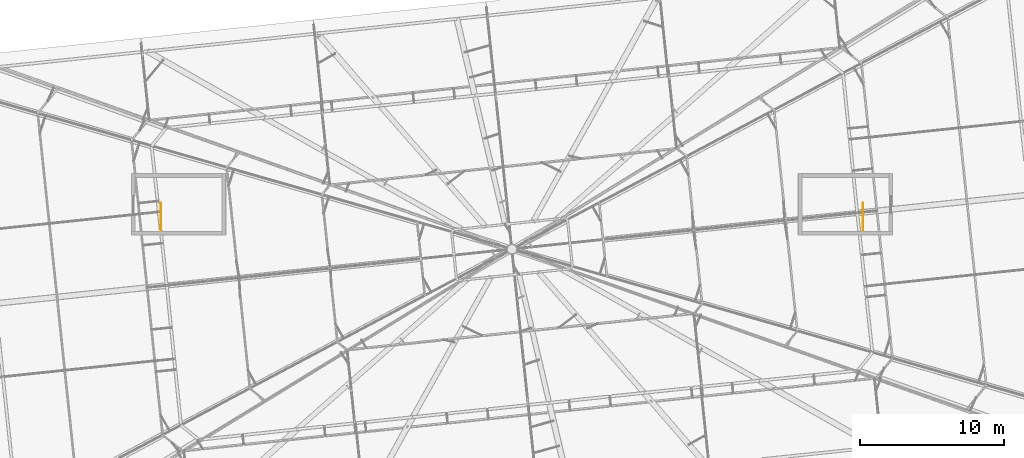
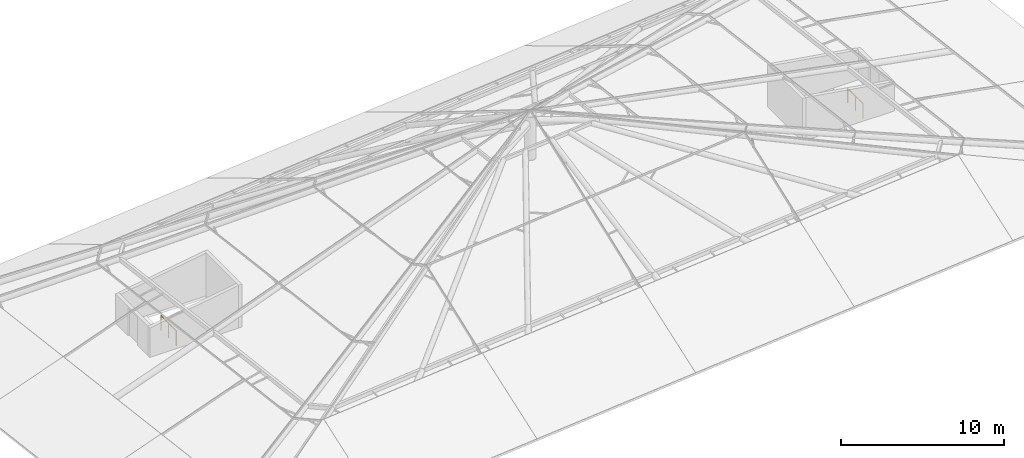
# One storey, part 20 of 20: 2 railings.
"""IFC4 building model written with IfcOpenShell, lengths in metres."""

from ifc_helpers import new_model, si_unit, direction, frame, origin, origin_2d, place, context, subcontext, project, spatial, circle, extrude, material, type_object, element, save


model = new_model("IFC4")

# Units and contexts
model_context = context("Model", 3, precision=1e-05, world=origin(), true_north=direction((0.0, 1.0)))
body_context = subcontext(model_context, "Body", "Model", "MODEL_VIEW")
ifc_project = project(units=[si_unit("LENGTHUNIT", "METRE"), si_unit("AREAUNIT", "SQUARE_METRE"), si_unit("VOLUMEUNIT", "CUBIC_METRE"), si_unit("PLANEANGLEUNIT", "RADIAN"), si_unit("MASSUNIT", "GRAM", prefix="KILO")], contexts=[model_context])

# Site, building, storey
site_placement = place(None, origin())
site = spatial("IfcSite", under=ifc_project, at=site_placement, CompositionType="ELEMENT")
building_placement = place(site_placement, origin())
building = spatial("IfcBuilding", under=site, at=building_placement, Name="Hakoniwa Tower and Hamabe Station Hall", CompositionType="ELEMENT")
storey_placement = place(building_placement, frame((0.0, 0.0, 285.0)))
storey = spatial("IfcBuildingStorey", under=building, at=storey_placement, Name="Roof", CompositionType="ELEMENT", Elevation=285.0)

# Railings
ifc_material = material(Name="Stainless steel SUS304", Category="steel")
railing_type = type_object("IfcRailingType", Name="STAIR WELL GUARD 1100", PredefinedType="GUARDRAIL", material=ifc_material)
for number, where, name in (
    (1, (-24.39990234375, 3.81005859375, 0.0), "Stair well guard ST-1 Roof"),
    (2, (24.39990234375, 3.81005859375, 0.0), "Stair well guard ST-3 Roof"),
):
    element("IfcRailing", number, at=place(storey_placement, frame(where)), inside=storey, type_object=railing_type, Name=name, PredefinedType="GUARDRAIL", context=body_context, shape_type="SweptSolid", body=[
        extrude(circle(Radius=0.02392578125, at=origin_2d()), frame((0.0, 0.0, 1.076171875), z_axis=(0.0, 1.0, 0.0), x_axis=(-1.0, 0.0, 0.0)), (0.0, 0.0, 1.0), 1.889892578125),
        extrude(circle(Radius=0.02099609375, at=origin_2d()), origin(), (0.0, 0.0, 1.0), 1.052001953125),
        extrude(circle(Radius=0.02099609375, at=origin_2d()), frame((0.0, 0.94482421875, 0.0)), (0.0, 0.0, 1.0), 1.052001953125),
        extrude(circle(Radius=0.02099609375, at=origin_2d()), frame((0.0, 1.889892578125, 0.0)), (0.0, 0.0, 1.0), 1.052001953125),
    ])

save(model, "model.ifc")
